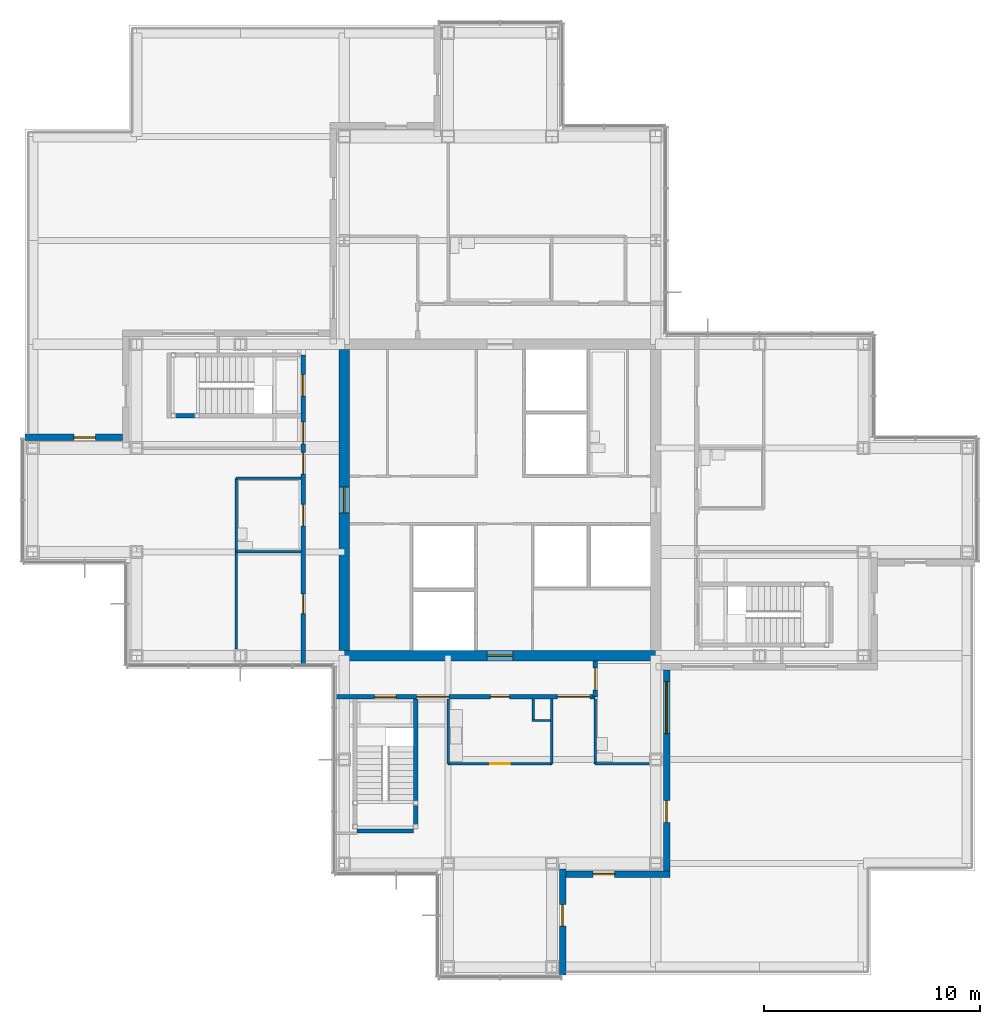
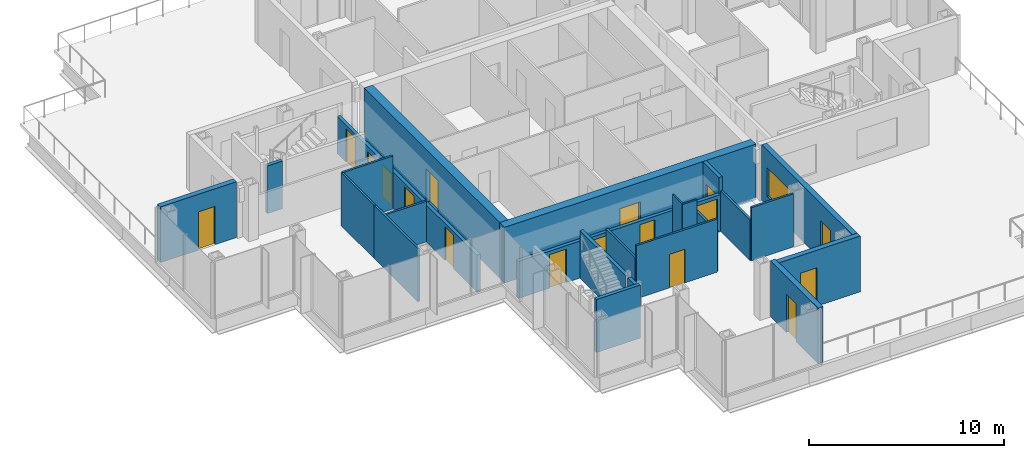
# One storey, part 11 of 17: 24 walls, 17 doors, 1 window, 18 openings.
"""IFC4 building model written with IfcOpenShell, lengths in metres."""

import ifcopenshell
import ifcopenshell.guid

model = None  # the IFC model being written
_history = None  # IfcOwnerHistory: only IFC2X3 demands one
_inside = {}  # id of a spatial element -> (the spatial element, [elements in it])
_under = {}  # id of a project, library or spatial element -> (it, [spatial elements below it])
_declared = {}  # id of a project -> (the project, [libraries it declares])
_typed = {}  # id of a type object -> (the type object, [elements of that type])
_made_of = {}  # id of a material, layer set ... -> (it, [elements and type objects made of it])


def new_model(schema):
    """Start an empty IFC model of exactly this schema.

    Asked for "IFC4X3", IfcOpenShell would pick the latest addendum, in which some entities
    have other attributes; the version numbers below select the first issue.
    IFC2X3 requires an IfcOwnerHistory on every rooted entity: one is made here for all.
    """
    global model, _history
    if schema == "IFC4X3":
        model = ifcopenshell.file(schema_version=(4, 3, 0, 0))
    else:
        model = ifcopenshell.file(schema=schema)
    _inside.clear()
    _under.clear()
    _declared.clear()
    _typed.clear()
    _made_of.clear()
    _history = None
    if model.schema == "IFC2X3":
        org = make("IfcOrganization", Name="unknown")
        user = make(
            "IfcPersonAndOrganization",
            ThePerson=make("IfcPerson", FamilyName="unknown"),
            TheOrganization=org,
        )
        app = make(
            "IfcApplication",
            ApplicationDeveloper=org,
            Version="unknown",
            ApplicationFullName="unknown",
            ApplicationIdentifier="unknown",
        )
        _history = make(
            "IfcOwnerHistory",
            OwningUser=user,
            OwningApplication=app,
            ChangeAction="ADDED",
            CreationDate=0,
        )
    return model


def make(cls, **values):
    """One entity of the class cls with the attributes given. An attribute that is None is left unset."""
    return model.create_entity(
        cls, **{name: value for name, value in values.items() if value is not None}
    )


def rooted(cls, **values):
    """An entity with a GlobalId (a new one), such as an element, a storey or a relation."""
    return make(cls, GlobalId=ifcopenshell.guid.new(), OwnerHistory=_history, **values)


def si_unit(unit_type, name, prefix=None):
    """IfcSIUnit, for example si_unit("LENGTHUNIT", "METRE", prefix="MILLI")."""
    return make("IfcSIUnit", UnitType=unit_type, Prefix=prefix, Name=name)


def assignment(units):
    """IfcUnitAssignment: the units of a project."""
    return None if units is None else make("IfcUnitAssignment", Units=units)


def point(xyz):
    """IfcCartesianPoint."""
    return None if xyz is None else make("IfcCartesianPoint", Coordinates=xyz)


def direction(xyz):
    """IfcDirection."""
    return None if xyz is None else make("IfcDirection", DirectionRatios=xyz)


def frame(location, z_axis=None, x_axis=None):
    """IfcAxis2Placement3D, a coordinate frame: its origin and axes. An axis left out is left unset."""
    return make(
        "IfcAxis2Placement3D",
        Location=point(location),
        Axis=direction(z_axis),
        RefDirection=direction(x_axis),
    )


def frame_2d(location, x_axis=None):
    """IfcAxis2Placement2D, a coordinate frame in the plane: its origin and x axis."""
    return make(
        "IfcAxis2Placement2D", Location=point(location), RefDirection=direction(x_axis)
    )


def origin():
    """The frame at (0, 0, 0) with its axes left unset."""
    return frame((0.0, 0.0, 0.0))


def place(relative_to, where):
    """IfcLocalPlacement: puts the frame where relative to a parent placement (None: the world)."""
    return make(
        "IfcLocalPlacement", PlacementRelTo=relative_to, RelativePlacement=where
    )


def context(
    kind, dimensions, precision=None, world=None, true_north=None, identifier=None
):
    """IfcGeometricRepresentationContext, for example the 3D "Model" context."""
    return make(
        "IfcGeometricRepresentationContext",
        ContextIdentifier=identifier,
        ContextType=kind,
        CoordinateSpaceDimension=dimensions,
        Precision=precision,
        WorldCoordinateSystem=world,
        TrueNorth=true_north,
    )


def subcontext(parent, identifier, kind, view, scale=None):
    """IfcGeometricRepresentationSubContext, for example "Body" below "Model"."""
    return make(
        "IfcGeometricRepresentationSubContext",
        ContextIdentifier=identifier,
        ContextType=kind,
        ParentContext=parent,
        TargetScale=scale,
        TargetView=view,
    )


def project(units=None, contexts=None):
    """IfcProject with its units and contexts."""
    return rooted(
        "IfcProject",
        Name="project",
        RepresentationContexts=contexts,
        UnitsInContext=assignment(units),
    )


def spatial(cls, under=None, at=None, **own):
    """A site, building, storey or space (cls), placed at a placement, below another one or the project."""
    s = rooted(cls, ObjectPlacement=at, **own)
    if under is not None:
        _under.setdefault(under.id(), (under, []))[1].append(s)
    return s


def profile(cls, at=None, kind="AREA", **sizes):
    """A parametric profile (cls). Its sizes go by their IFC names, for example OverallWidth=200.0."""
    return make(cls, ProfileType=kind, Position=at, **sizes)


def rectangle(**sizes):
    """IfcRectangleProfileDef."""
    return profile("IfcRectangleProfileDef", **sizes)


def extrude(swept, where, along, depth):
    """IfcExtrudedAreaSolid: the profile swept, set in the frame where, extruded along a direction by depth."""
    return make(
        "IfcExtrudedAreaSolid",
        SweptArea=swept,
        Position=where,
        ExtrudedDirection=direction(along),
        Depth=depth,
    )


def shape(context_of_items, identifier, shape_type, items):
    """IfcShapeRepresentation: the items that make up one representation, for example the "Body"."""
    return make(
        "IfcShapeRepresentation",
        ContextOfItems=context_of_items,
        RepresentationIdentifier=identifier,
        RepresentationType=shape_type,
        Items=items,
    )


def material(Name=None, Category=None):
    """IfcMaterial."""
    return make("IfcMaterial", Name=Name, Category=Category)


def layer(
    of_material, thickness, ventilated=None, Name=None, Category=None, Priority=None
):
    """IfcMaterialLayer: one layer of a wall or slab, of a material (None: an air gap)."""
    return make(
        "IfcMaterialLayer",
        Material=of_material,
        LayerThickness=thickness,
        IsVentilated=ventilated,
        Name=Name,
        Category=Category,
        Priority=Priority,
    )


def layer_set(layers, Name=None):
    """IfcMaterialLayerSet."""
    return make("IfcMaterialLayerSet", MaterialLayers=layers, LayerSetName=Name)


def made_of(thing, what):
    """Note that an element or type object is made of a material, layer set ...; save() writes the relation."""
    if what is not None:
        _made_of.setdefault(what.id(), (what, []))[1].append(thing)
    return thing


def type_object(cls, material=None, **own):
    """A type object (cls), such as IfcWallType, which elements share."""
    return made_of(rooted(cls, **own), material)


def element(
    cls,
    number,
    at=None,
    inside=None,
    cuts=None,
    type_object=None,
    material=None,
    context=None,
    identifier="Body",
    shape_type=None,
    held_by="IfcProductDefinitionShape",
    body=None,
    shapes=None,
    **own,
):
    """One element of the class cls, such as IfcWall. Its Tag is "e" and its number.

    at: its placement. inside: the storey or other place that contains it. cuts: it is an
    opening in that element (IfcRelVoidsElement). A single representation is given by context,
    identifier, shape_type and body (its items); several are given by shapes. held_by: the class
    of the entity that holds the representations. save() writes the other relations.
    """
    e = rooted(cls, Tag="e%d" % number, ObjectPlacement=at, **own)
    if body is not None:
        shapes = [shape(context, identifier, shape_type, body)]
    if shapes is not None:
        e.Representation = make(held_by, Representations=shapes)
    if inside is not None:
        _inside.setdefault(inside.id(), (inside, []))[1].append(e)
    if cuts is not None:
        rooted(
            "IfcRelVoidsElement", RelatingBuildingElement=cuts, RelatedOpeningElement=e
        )
    if type_object is not None:
        _typed.setdefault(type_object.id(), (type_object, []))[1].append(e)
    return made_of(e, material)


def fill(opening, filler):
    """IfcRelFillsElement: the door or window that sits in an opening."""
    return rooted(
        "IfcRelFillsElement",
        RelatingOpeningElement=opening,
        RelatedBuildingElement=filler,
    )


def aggregate(whole, parts):
    """IfcRelAggregates: a whole, such as a stair, and the parts it consists of."""
    return rooted("IfcRelAggregates", RelatingObject=whole, RelatedObjects=parts)


def save(model, path):
    """Write the relations noted so far, then the file.

    IfcRelAggregates (storeys below a building ...), IfcRelContainedInSpatialStructure (elements
    in a storey), IfcRelDefinesByType, IfcRelAssociatesMaterial and IfcRelDeclares: one each for
    every whole, place, type object, material and project.
    """
    for whole, parts in _under.values():
        aggregate(whole, parts)
    for where, things in _inside.values():
        rooted(
            "IfcRelContainedInSpatialStructure",
            RelatedElements=things,
            RelatingStructure=where,
        )
    for kind, things in _typed.values():
        rooted("IfcRelDefinesByType", RelatedObjects=things, RelatingType=kind)
    for what, things in _made_of.values():
        rooted("IfcRelAssociatesMaterial", RelatedObjects=things, RelatingMaterial=what)
    for by, libraries in _declared.values():
        rooted("IfcRelDeclares", RelatingContext=by, RelatedDefinitions=libraries)
    model.write(path)


model = new_model("IFC4")

# Units and contexts
model_context = context("Model", 3, precision=1e-05, world=origin(), true_north=direction((0.0, 1.0)))
body_context = subcontext(model_context, "Body", "Model", "MODEL_VIEW")
ifc_project = project(units=[si_unit("LENGTHUNIT", "METRE"), si_unit("AREAUNIT", "SQUARE_METRE"), si_unit("VOLUMEUNIT", "CUBIC_METRE"), si_unit("PLANEANGLEUNIT", "RADIAN"), si_unit("MASSUNIT", "GRAM", prefix="KILO")], contexts=[model_context])

# Site, building, storey
site_placement = place(None, origin())
site = spatial("IfcSite", under=ifc_project, at=site_placement, CompositionType="ELEMENT")
building_placement = place(site_placement, origin())
building = spatial("IfcBuilding", under=site, at=building_placement, Name="Kvirike Care Tower", CompositionType="ELEMENT")
storey_placement = place(building_placement, frame((0.0, 0.0, 141.0)))
storey = spatial("IfcBuildingStorey", under=building, at=storey_placement, Name="L38", CompositionType="ELEMENT", Elevation=141.0)

# Wall, opening, door
ifc_material_1 = material(Name="Concrete C45/55", Category="concrete")
ifc_layer_1 = layer(ifc_material_1, 0.5)
ifc_layer_set_1 = layer_set([ifc_layer_1], Name="CORE WALL 500 C45-55")
wall_type_1 = type_object("IfcWallType", Name="CORE WALL 500 C45-55", PredefinedType="SHEAR", material=ifc_layer_set_1)
wall_1_placement = place(storey_placement, frame((14.14990234375, 28.800048828125, -0.169921875), z_axis=(0.0, 0.0, 1.0), x_axis=(1.0, 0.0, 0.0)))
wall_1 = element("IfcWall", 1, at=wall_1_placement, inside=storey, type_object=wall_type_1, Name="Core wall S L38", PredefinedType="SHEAR", context=body_context, shape_type="SweptSolid", body=[
    extrude(rectangle(XDim=14.900146484375, YDim=0.5, at=frame_2d((7.4501953125, 0.0))), origin(), (0.0, 0.0, 1.0), 3.5),
])
opening_1_placement = place(wall_1_placement, frame((6.85009765625, 0.0, 0.169921875)))
opening_1 = element("IfcOpeningElement", 2, at=opening_1_placement, cuts=wall_1, Name="Opening 38-036", PredefinedType="OPENING", context=body_context, shape_type="SweptSolid", body=[
    extrude(rectangle(XDim=1.199951171875, YDim=2.10009765625, at=frame_2d((0.60009765625, 1.050048828125))), frame((0.0, 0.260498046875, 0.0), z_axis=(0.0, -1.0, 0.0), x_axis=(1.0, 0.0, 0.0)), (0.0, 0.0, 1.0), 0.52099609375),
])
ifc_material_2 = material(Name="Timber door set", Category="wood")
door_type_1 = type_object("IfcDoorType", Name="CORE DOOR 1200", OperationType="SINGLE_SWING_LEFT", PredefinedType="DOOR", material=ifc_material_2)
door_1_placement = place(opening_1_placement, origin())
door_1 = element("IfcDoor", 3, at=door_1_placement, inside=storey, type_object=door_type_1, Name="Core door S L38", OperationType="SINGLE_SWING_LEFT", OverallHeight=2.10009765625, OverallWidth=1.199951171875, PredefinedType="DOOR", context=body_context, shape_type="SweptSolid", body=[
    extrude(rectangle(XDim=1.199951171875, YDim=2.10009765625, at=frame_2d((0.60009765625, 1.050048828125))), frame((0.0, 0.02685546875, 0.0), z_axis=(0.0, -1.0, 0.0), x_axis=(1.0, 0.0, 0.0)), (0.0, 0.0, 1.0), 0.053955078125),
])
fill(opening_1, door_1)

wall_2_placement = place(storey_placement, frame((14.39990234375, 42.949951171875, -0.169921875), z_axis=(0.0, 0.0, 1.0), x_axis=(0.0, -1.0, 0.0)))
wall_2 = element("IfcWall", 4, at=wall_2_placement, inside=storey, type_object=wall_type_1, Name="Core wall W L38", PredefinedType="SHEAR", context=body_context, shape_type="SweptSolid", body=[
    extrude(rectangle(XDim=13.89990234375, YDim=0.5, at=frame_2d((6.949951171875, 0.0))), origin(), (0.0, 0.0, 1.0), 3.5),
])
opening_2_placement = place(wall_2_placement, frame((6.35009765625, 0.0, 0.169921875)))
opening_2 = element("IfcOpeningElement", 5, at=opening_2_placement, cuts=wall_2, Name="Opening 38-037", PredefinedType="OPENING", context=body_context, shape_type="SweptSolid", body=[
    extrude(rectangle(XDim=1.199951171875, YDim=2.10009765625, at=frame_2d((0.60009765625, 1.050048828125))), frame((0.0, 0.260498046875, 0.0), z_axis=(0.0, -1.0, 0.0), x_axis=(1.0, 0.0, 0.0)), (0.0, 0.0, 1.0), 0.52099609375),
])
door_2_placement = place(opening_2_placement, origin())
door_2 = element("IfcDoor", 6, at=door_2_placement, inside=storey, type_object=door_type_1, Name="Core door W L38", OperationType="SINGLE_SWING_LEFT", OverallHeight=2.10009765625, OverallWidth=1.199951171875, PredefinedType="DOOR", context=body_context, shape_type="SweptSolid", body=[
    extrude(rectangle(XDim=1.199951171875, YDim=2.10009765625, at=frame_2d((0.60009765625, 1.050048828125))), frame((0.0, 0.02685546875, 0.0), z_axis=(0.0, -1.0, 0.0), x_axis=(1.0, 0.0, 0.0)), (0.0, 0.0, 1.0), 0.053955078125),
])
fill(opening_2, door_2)

# Wall, openings, doors
ifc_material_3 = material(Name="Plasterboard corridor wall", Category="gypsum")
ifc_layer_2 = layer(ifc_material_3, 0.199951171875)
ifc_layer_set_2 = layer_set([ifc_layer_2], Name="CORRIDOR WALL 200")
wall_type_2 = type_object("IfcWallType", Name="CORRIDOR WALL 200", PredefinedType="PARTITIONING", material=ifc_layer_set_2)
wall_3_placement = place(storey_placement, frame((12.5, 42.699951171875, 0.0), z_axis=(0.0, 0.0, 1.0), x_axis=(0.0, -1.0, 0.0)))
wall_3 = element("IfcWall", 7, at=wall_3_placement, inside=storey, type_object=wall_type_2, Name="Corridor Wall 200 L38", PredefinedType="PARTITIONING", context=body_context, shape_type="SweptSolid", body=[
    extrude(rectangle(XDim=14.349853515625, YDim=0.199951171875, at=frame_2d((7.1748046875, 0.0))), origin(), (0.0, 0.0, 1.0), 2.320068359375),
])
opening_3_placement = place(wall_3_placement, frame((0.89990234375, 0.0, 0.0)))
opening_3 = element("IfcOpeningElement", 8, at=opening_3_placement, cuts=wall_3, Name="Opening 38-001", PredefinedType="OPENING", context=body_context, shape_type="SweptSolid", body=[
    extrude(rectangle(XDim=1.0, YDim=2.10009765625, at=frame_2d((0.5, 1.050048828125))), frame((0.0, 0.110595703125, 0.0), z_axis=(0.0, -1.0, 0.0), x_axis=(1.0, 0.0, 0.0)), (0.0, 0.0, 1.0), 0.220947265625),
])
opening_4_placement = place(wall_3_placement, frame((3.10009765625, 0.0, 0.0)))
opening_4 = element("IfcOpeningElement", 9, at=opening_4_placement, cuts=wall_3, Name="Opening 38-002", PredefinedType="OPENING", context=body_context, shape_type="SweptSolid", body=[
    extrude(rectangle(XDim=1.0, YDim=2.0, at=frame_2d((0.5, 1.0))), frame((0.0, 0.110595703125, 0.0), z_axis=(0.0, -1.0, 0.0), x_axis=(1.0, 0.0, 0.0)), (0.0, 0.0, 1.0), 0.220947265625),
])
opening_5_placement = place(wall_3_placement, frame((4.5, 0.0, 0.0)))
opening_5 = element("IfcOpeningElement", 10, at=opening_5_placement, cuts=wall_3, Name="Opening 38-003", PredefinedType="OPENING", context=body_context, shape_type="SweptSolid", body=[
    extrude(rectangle(XDim=1.0, YDim=2.0, at=frame_2d((0.5, 1.0))), frame((0.0, 0.110595703125, 0.0), z_axis=(0.0, -1.0, 0.0), x_axis=(1.0, 0.0, 0.0)), (0.0, 0.0, 1.0), 0.220947265625),
])
opening_6_placement = place(wall_3_placement, frame((6.89990234375, 0.0, 0.0)))
opening_6 = element("IfcOpeningElement", 11, at=opening_6_placement, cuts=wall_3, Name="Opening 38-004", PredefinedType="OPENING", context=body_context, shape_type="SweptSolid", body=[
    extrude(rectangle(XDim=1.0, YDim=2.10009765625, at=frame_2d((0.5, 1.050048828125))), frame((0.0, 0.110595703125, 0.0), z_axis=(0.0, -1.0, 0.0), x_axis=(1.0, 0.0, 0.0)), (0.0, 0.0, 1.0), 0.220947265625),
])
opening_7_placement = place(wall_3_placement, frame((11.050048828125, 0.0, 0.0)))
opening_7 = element("IfcOpeningElement", 12, at=opening_7_placement, cuts=wall_3, Name="Opening 38-005", PredefinedType="OPENING", context=body_context, shape_type="SweptSolid", body=[
    extrude(rectangle(XDim=0.89990234375, YDim=2.10009765625, at=frame_2d((0.449951171875, 1.050048828125))), frame((0.0, 0.110595703125, 0.0), z_axis=(0.0, -1.0, 0.0), x_axis=(1.0, 0.0, 0.0)), (0.0, 0.0, 1.0), 0.220947265625),
])
ifc_material_4 = material(Name="Timber door set", Category="wood")
door_type_2 = type_object("IfcDoorType", Name="CONSULTING ROOM DOOR 1000 x 2000", OperationType="SINGLE_SWING_LEFT", PredefinedType="DOOR", material=ifc_material_4)
door_3_placement = place(opening_4_placement, frame((1.0, 0.0, 0.0), z_axis=(0.0, 0.0, 1.0), x_axis=(-1.0, 0.0, 0.0)))
door_3 = element("IfcDoor", 13, at=door_3_placement, inside=storey, type_object=door_type_2, Name="Quiet room door", OperationType="SINGLE_SWING_LEFT", OverallHeight=2.0, OverallWidth=1.0, PredefinedType="DOOR", context=body_context, shape_type="SweptSolid", body=[
    extrude(rectangle(XDim=1.0, YDim=2.0, at=frame_2d((0.5, 1.0))), frame((0.0, 0.02685546875, 0.0), z_axis=(0.0, -1.0, 0.0), x_axis=(1.0, 0.0, 0.0)), (0.0, 0.0, 1.0), 0.053955078125),
])
fill(opening_4, door_3)
door_4_placement = place(opening_5_placement, frame((1.0, 0.0, 0.0), z_axis=(0.0, 0.0, 1.0), x_axis=(-1.0, 0.0, 0.0)))
door_4 = element("IfcDoor", 14, at=door_4_placement, inside=storey, type_object=door_type_2, Name="Library door", OperationType="SINGLE_SWING_RIGHT", OverallHeight=2.0, OverallWidth=1.0, PredefinedType="DOOR", context=body_context, shape_type="SweptSolid", body=[
    extrude(rectangle(XDim=1.0, YDim=2.0, at=frame_2d((0.5, 1.0))), frame((0.0, 0.02685546875, 0.0), z_axis=(0.0, -1.0, 0.0), x_axis=(1.0, 0.0, 0.0)), (0.0, 0.0, 1.0), 0.053955078125),
])
fill(opening_5, door_4)
ifc_material_5 = material(Name="Timber door set", Category="wood")
door_type_3 = type_object("IfcDoorType", Name="STAIR DOOR 1000", OperationType="SINGLE_SWING_LEFT", PredefinedType="DOOR", material=ifc_material_5)
door_5_placement = place(opening_3_placement, frame((1.0, 0.0, 0.0), z_axis=(0.0, 0.0, 1.0), x_axis=(-1.0, 0.0, 0.0)))
door_5 = element("IfcDoor", 15, at=door_5_placement, inside=storey, type_object=door_type_3, Name="Stair 1 door", OperationType="SINGLE_SWING_RIGHT", OverallHeight=2.10009765625, OverallWidth=1.0, PredefinedType="DOOR", context=body_context, shape_type="SweptSolid", body=[
    extrude(rectangle(XDim=1.0, YDim=2.10009765625, at=frame_2d((0.5, 1.050048828125))), frame((0.0, 0.031982421875, 0.0), z_axis=(0.0, -1.0, 0.0), x_axis=(1.0, 0.0, 0.0)), (0.0, 0.0, 1.0), 0.06396484375),
])
fill(opening_3, door_5)
ifc_material_6 = material(Name="Timber door set", Category="wood")
door_type_4 = type_object("IfcDoorType", Name="STORE DOOR 900", OperationType="SINGLE_SWING_LEFT", PredefinedType="DOOR", material=ifc_material_6)
door_6_placement = place(opening_7_placement, frame((0.89990234375, 0.0, 0.0), z_axis=(0.0, 0.0, 1.0), x_axis=(-1.0, 0.0, 0.0)))
door_6 = element("IfcDoor", 16, at=door_6_placement, inside=storey, type_object=door_type_4, Name="Book store door", OperationType="SINGLE_SWING_LEFT", OverallHeight=2.10009765625, OverallWidth=0.89990234375, PredefinedType="DOOR", context=body_context, shape_type="SweptSolid", body=[
    extrude(rectangle(XDim=0.89990234375, YDim=2.10009765625, at=frame_2d((0.449951171875, 1.050048828125))), frame((0.0, 0.02685546875, 0.0), z_axis=(0.0, -1.0, 0.0), x_axis=(1.0, 0.0, 0.0)), (0.0, 0.0, 1.0), 0.053955078125),
])
fill(opening_7, door_6)
ifc_material_7 = material(Name="Timber door set", Category="wood")
door_type_5 = type_object("IfcDoorType", Name="WC DOOR 1000", OperationType="SINGLE_SWING_LEFT", PredefinedType="DOOR", material=ifc_material_7)
door_7_placement = place(opening_6_placement, frame((1.0, 0.0, 0.0), z_axis=(0.0, 0.0, 1.0), x_axis=(-1.0, 0.0, 0.0)))
door_7 = element("IfcDoor", 17, at=door_7_placement, inside=storey, type_object=door_type_5, Name="Staff WC door", OperationType="SINGLE_SWING_RIGHT", OverallHeight=2.10009765625, OverallWidth=1.0, PredefinedType="DOOR", context=body_context, shape_type="SweptSolid", body=[
    extrude(rectangle(XDim=1.0, YDim=2.10009765625, at=frame_2d((0.5, 1.050048828125))), frame((0.0, 0.02685546875, 0.0), z_axis=(0.0, -1.0, 0.0), x_axis=(1.0, 0.0, 0.0)), (0.0, 0.0, 1.0), 0.053955078125),
])
fill(opening_6, door_7)

wall_4_placement = place(storey_placement, frame((13.949951171875, 26.89990234375, 0.0), z_axis=(0.0, 0.0, 1.0), x_axis=(1.0, 0.0, 0.0)))
wall_4 = element("IfcWall", 18, at=wall_4_placement, inside=storey, type_object=wall_type_2, Name="Corridor Wall 200 L38", PredefinedType="PARTITIONING", context=body_context, shape_type="SweptSolid", body=[
    extrude(rectangle(XDim=12.050048828125, YDim=0.199951171875, at=frame_2d((6.02490234375, 0.0))), origin(), (0.0, 0.0, 1.0), 2.320068359375),
])
opening_8_placement = place(wall_4_placement, frame((1.85009765625, 0.0, 0.0)))
opening_8 = element("IfcOpeningElement", 19, at=opening_8_placement, cuts=wall_4, Name="Opening 38-007", PredefinedType="OPENING", context=body_context, shape_type="SweptSolid", body=[
    extrude(rectangle(XDim=1.0, YDim=2.10009765625, at=frame_2d((0.5, 1.050048828125))), frame((0.0, 0.110595703125, 0.0), z_axis=(0.0, -1.0, 0.0), x_axis=(1.0, 0.0, 0.0)), (0.0, 0.0, 1.0), 0.220947265625),
])
opening_9_placement = place(wall_4_placement, frame((3.800048828125, 0.0, 0.0)))
opening_9 = element("IfcOpeningElement", 20, at=opening_9_placement, cuts=wall_4, Name="Opening 38-008", PredefinedType="OPENING", context=body_context, shape_type="SweptSolid", body=[
    extrude(rectangle(XDim=1.5, YDim=2.10009765625, at=frame_2d((0.75, 1.050048828125))), frame((0.0, 0.110595703125, 0.0), z_axis=(0.0, -1.0, 0.0), x_axis=(1.0, 0.0, 0.0)), (0.0, 0.0, 1.0), 0.220947265625),
])
opening_10_placement = place(wall_4_placement, frame((10.300048828125, 0.0, 0.0)))
opening_10 = element("IfcOpeningElement", 21, at=opening_10_placement, cuts=wall_4, Name="Opening 38-009", PredefinedType="OPENING", context=body_context, shape_type="SweptSolid", body=[
    extrude(rectangle(XDim=1.5, YDim=2.10009765625, at=frame_2d((0.75, 1.050048828125))), frame((0.0, 0.110595703125, 0.0), z_axis=(0.0, -1.0, 0.0), x_axis=(1.0, 0.0, 0.0)), (0.0, 0.0, 1.0), 0.220947265625),
])
opening_11_placement = place(wall_4_placement, frame((7.199951171875, 0.0, 0.0)))
opening_11 = element("IfcOpeningElement", 22, at=opening_11_placement, cuts=wall_4, Name="Opening 38-010", PredefinedType="OPENING", context=body_context, shape_type="SweptSolid", body=[
    extrude(rectangle(XDim=0.89990234375, YDim=2.10009765625, at=frame_2d((0.449951171875, 1.050048828125))), frame((0.0, 0.110595703125, 0.0), z_axis=(0.0, -1.0, 0.0), x_axis=(1.0, 0.0, 0.0)), (0.0, 0.0, 1.0), 0.220947265625),
])
ifc_material_8 = material(Name="Timber door set", Category="wood")
door_type_6 = type_object("IfcDoorType", Name="DINING ROOM DOOR 1500", OperationType="DOUBLE_DOOR_SINGLE_SWING", PredefinedType="DOOR", material=ifc_material_8)
door_8_placement = place(opening_9_placement, origin())
door_8 = element("IfcDoor", 23, at=door_8_placement, inside=storey, type_object=door_type_6, Name="Residents dining room door", OperationType="DOUBLE_DOOR_SINGLE_SWING", OverallHeight=2.10009765625, OverallWidth=1.5, PredefinedType="DOOR", context=body_context, shape_type="SweptSolid", body=[
    extrude(rectangle(XDim=1.5, YDim=2.10009765625, at=frame_2d((0.75, 1.050048828125))), frame((0.0, 0.02685546875, 0.0), z_axis=(0.0, -1.0, 0.0), x_axis=(1.0, 0.0, 0.0)), (0.0, 0.0, 1.0), 0.053955078125),
])
fill(opening_9, door_8)
door_9_placement = place(opening_10_placement, frame((1.5, 0.0, 0.0), z_axis=(0.0, 0.0, 1.0), x_axis=(-1.0, 0.0, 0.0)))
door_9 = element("IfcDoor", 24, at=door_9_placement, inside=storey, type_object=door_type_6, Name="Residents dining room door", OperationType="DOUBLE_DOOR_SINGLE_SWING", OverallHeight=2.10009765625, OverallWidth=1.5, PredefinedType="DOOR", context=body_context, shape_type="SweptSolid", body=[
    extrude(rectangle(XDim=1.5, YDim=2.10009765625, at=frame_2d((0.75, 1.050048828125))), frame((0.0, 0.02685546875, 0.0), z_axis=(0.0, -1.0, 0.0), x_axis=(1.0, 0.0, 0.0)), (0.0, 0.0, 1.0), 0.053955078125),
])
fill(opening_10, door_9)
door_10_placement = place(opening_8_placement, frame((1.0, 0.0, 0.0), z_axis=(0.0, 0.0, 1.0), x_axis=(-1.0, 0.0, 0.0)))
door_10 = element("IfcDoor", 25, at=door_10_placement, inside=storey, type_object=door_type_3, Name="Stair 5 door", OperationType="SINGLE_SWING_RIGHT", OverallHeight=2.10009765625, OverallWidth=1.0, PredefinedType="DOOR", context=body_context, shape_type="SweptSolid", body=[
    extrude(rectangle(XDim=1.0, YDim=2.10009765625, at=frame_2d((0.5, 1.050048828125))), frame((0.0, 0.031982421875, 0.0), z_axis=(0.0, -1.0, 0.0), x_axis=(1.0, 0.0, 0.0)), (0.0, 0.0, 1.0), 0.06396484375),
])
fill(opening_8, door_10)
door_11_placement = place(opening_11_placement, frame((0.89990234375, 0.0, 0.0), z_axis=(0.0, 0.0, 1.0), x_axis=(-1.0, 0.0, 0.0)))
door_11 = element("IfcDoor", 26, at=door_11_placement, inside=storey, type_object=door_type_4, Name="Servery kitchen door", OperationType="SINGLE_SWING_RIGHT", OverallHeight=2.10009765625, OverallWidth=0.89990234375, PredefinedType="DOOR", context=body_context, shape_type="SweptSolid", body=[
    extrude(rectangle(XDim=0.89990234375, YDim=2.10009765625, at=frame_2d((0.449951171875, 1.050048828125))), frame((0.0, 0.02685546875, 0.0), z_axis=(0.0, -1.0, 0.0), x_axis=(1.0, 0.0, 0.0)), (0.0, 0.0, 1.0), 0.053955078125),
])
fill(opening_11, door_11)

# Wall, opening, door
wall_5_placement = place(storey_placement, frame((26.0, 26.89990234375, 0.0), z_axis=(0.0, 0.0, 1.0), x_axis=(0.0, 1.0, 0.0)))
wall_5 = element("IfcWall", 27, at=wall_5_placement, inside=storey, type_object=wall_type_2, Name="Corridor Wall 200 L38", PredefinedType="PARTITIONING", context=body_context, shape_type="SweptSolid", body=[
    extrude(rectangle(XDim=1.650146484375, YDim=0.199951171875, at=frame_2d((0.8251953125, 0.0))), origin(), (0.0, 0.0, 1.0), 3.330078125),
])
opening_12_placement = place(wall_5_placement, frame((0.324951171875, 0.0, 0.0)))
opening_12 = element("IfcOpeningElement", 28, at=opening_12_placement, cuts=wall_5, Name="Opening 38-034", PredefinedType="OPENING", context=body_context, shape_type="SweptSolid", body=[
    extrude(rectangle(XDim=1.0, YDim=2.10009765625, at=frame_2d((0.5, 1.050048828125))), frame((0.0, 0.110595703125, 0.0), z_axis=(0.0, -1.0, 0.0), x_axis=(1.0, 0.0, 0.0)), (0.0, 0.0, 1.0), 0.220947265625),
])
door_12_placement = place(opening_12_placement, frame((1.0, 0.0, 0.0), z_axis=(0.0, 0.0, 1.0), x_axis=(-1.0, 0.0, 0.0)))
door_12 = element("IfcDoor", 29, at=door_12_placement, inside=storey, type_object=door_type_5, Name="Accessible WC door", OperationType="SINGLE_SWING_RIGHT", OverallHeight=2.10009765625, OverallWidth=1.0, PredefinedType="DOOR", context=body_context, shape_type="SweptSolid", body=[
    extrude(rectangle(XDim=1.0, YDim=2.10009765625, at=frame_2d((0.5, 1.050048828125))), frame((0.0, 0.02685546875, 0.0), z_axis=(0.0, -1.0, 0.0), x_axis=(1.0, 0.0, 0.0)), (0.0, 0.0, 1.0), 0.053955078125),
])
fill(opening_12, door_12)

# Walls
ifc_material_9 = material(Name="Plasterboard partition", Category="gypsum")
ifc_layer_3 = layer(ifc_material_9, 0.1201171875)
ifc_layer_set_3 = layer_set([ifc_layer_3], Name="PARTITION 120")
wall_type_3 = type_object("IfcWallType", Name="PARTITION 120", PredefinedType="PARTITIONING", material=ifc_layer_set_3)
wall_6_placement = place(storey_placement, frame((9.39990234375, 37.0, 0.0), z_axis=(0.0, 0.0, 1.0), x_axis=(1.0, 0.0, 0.0)))
element("IfcWall", 30, at=wall_6_placement, inside=storey, type_object=wall_type_3, Name="Partition 120 L38", PredefinedType="PARTITIONING", context=body_context, shape_type="SweptSolid", body=[
    extrude(rectangle(XDim=3.0, YDim=0.1201171875, at=frame_2d((1.5, 0.0))), origin(), (0.0, 0.0, 1.0), 3.330078125),
])
wall_7_placement = place(storey_placement, frame((9.39990234375, 37.0, 0.0), z_axis=(0.0, 0.0, 1.0), x_axis=(0.0, -1.0, 0.0)))
element("IfcWall", 31, at=wall_7_placement, inside=storey, type_object=wall_type_3, Name="Partition 120 L38", PredefinedType="PARTITIONING", context=body_context, shape_type="SweptSolid", body=[
    extrude(rectangle(XDim=3.39990234375, YDim=0.1201171875, at=frame_2d((1.699951171875, 0.0))), origin(), (0.0, 0.0, 1.0), 3.330078125),
])
wall_8_placement = place(storey_placement, frame((9.39990234375, 33.60009765625, 0.0), z_axis=(0.0, 0.0, 1.0), x_axis=(1.0, 0.0, 0.0)))
element("IfcWall", 32, at=wall_8_placement, inside=storey, type_object=wall_type_3, Name="Partition 120 L38", PredefinedType="PARTITIONING", context=body_context, shape_type="SweptSolid", body=[
    extrude(rectangle(XDim=3.0, YDim=0.1201171875, at=frame_2d((1.5, 0.0))), origin(), (0.0, 0.0, 1.0), 2.550048828125),
])
wall_9_placement = place(storey_placement, frame((9.39990234375, 33.60009765625, 0.0), z_axis=(0.0, 0.0, 1.0), x_axis=(0.0, -1.0, 0.0)))
element("IfcWall", 33, at=wall_9_placement, inside=storey, type_object=wall_type_3, Name="Partition 120 L38", PredefinedType="PARTITIONING", context=body_context, shape_type="SweptSolid", body=[
    extrude(rectangle(XDim=4.47998046875, YDim=0.1201171875, at=frame_2d((2.239990234375, 0.0))), origin(), (0.0, 0.0, 1.0), 3.330078125),
])
for number, where, z_axis, x_axis, name in (
    (34, (24.0, 23.800048828125, 0.0), (0.0, 0.0, 1.0), (0.0, 1.0, 0.0), "Partition 120 L38"),
    (35, (19.199951171875, 23.800048828125, 0.0), (0.0, 0.0, 1.0), (0.0, 1.0, 0.0), "Partition 120 L38"),
):
    element("IfcWall", number, at=place(storey_placement, frame(where, z_axis=z_axis, x_axis=x_axis)), inside=storey, type_object=wall_type_3, Name=name, PredefinedType="PARTITIONING", context=body_context, shape_type="SweptSolid", body=[
        extrude(rectangle(XDim=3.0, YDim=0.1201171875, at=frame_2d((1.5, 0.0))), origin(), (0.0, 0.0, 1.0), 2.550048828125),
    ])

# Wall, opening, door
wall_10_placement = place(storey_placement, frame((19.199951171875, 23.800048828125, 0.0), z_axis=(0.0, 0.0, 1.0), x_axis=(1.0, 0.0, 0.0)))
wall_10 = element("IfcWall", 36, at=wall_10_placement, inside=storey, type_object=wall_type_3, Name="Partition 120 L38", PredefinedType="PARTITIONING", context=body_context, shape_type="SweptSolid", body=[
    extrude(rectangle(XDim=4.800048828125, YDim=0.1201171875, at=frame_2d((2.39990234375, 0.0))), origin(), (0.0, 0.0, 1.0), 3.330078125),
])
opening_13_placement = place(wall_10_placement, frame((1.949951171875, 0.0, 0.0)))
opening_13 = element("IfcOpeningElement", 37, at=opening_13_placement, cuts=wall_10, Name="Opening 38-006", PredefinedType="OPENING", context=body_context, shape_type="SweptSolid", body=[
    extrude(rectangle(XDim=0.89990234375, YDim=2.10009765625, at=frame_2d((0.449951171875, 1.050048828125))), frame((0.0, 0.070556640625, 0.0), z_axis=(0.0, -1.0, 0.0), x_axis=(1.0, 0.0, 0.0)), (0.0, 0.0, 1.0), 0.14111328125),
])
ifc_material_10 = material(Name="Timber door set", Category="wood")
door_type_7 = type_object("IfcDoorType", Name="INTERNAL DOOR 900", OperationType="SINGLE_SWING_LEFT", PredefinedType="DOOR", material=ifc_material_10)
door_13_placement = place(opening_13_placement, origin())
door_13 = element("IfcDoor", 38, at=door_13_placement, inside=storey, type_object=door_type_7, Name="Servery door", OperationType="SINGLE_SWING_LEFT", OverallHeight=2.10009765625, OverallWidth=0.89990234375, PredefinedType="DOOR", context=body_context, shape_type="SweptSolid", body=[
    extrude(rectangle(XDim=0.89990234375, YDim=2.10009765625, at=frame_2d((0.449951171875, 1.050048828125))), frame((0.0, 0.02197265625, 0.0), z_axis=(0.0, -1.0, 0.0), x_axis=(1.0, 0.0, 0.0)), (0.0, 0.0, 1.0), 0.0439453125),
])
fill(opening_13, door_13)

# Walls
wall_11_placement = place(storey_placement, frame((26.0, 23.800048828125, 0.0), z_axis=(0.0, 0.0, 1.0), x_axis=(0.0, 1.0, 0.0)))
element("IfcWall", 39, at=wall_11_placement, inside=storey, type_object=wall_type_3, Name="Partition 120 L38", PredefinedType="PARTITIONING", context=body_context, shape_type="SweptSolid", body=[
    extrude(rectangle(XDim=3.0, YDim=0.1201171875, at=frame_2d((1.5, 0.0))), origin(), (0.0, 0.0, 1.0), 2.550048828125),
])
wall_12_placement = place(storey_placement, frame((26.0, 23.800048828125, 0.0), z_axis=(0.0, 0.0, 1.0), x_axis=(1.0, 0.0, 0.0)))
element("IfcWall", 40, at=wall_12_placement, inside=storey, type_object=wall_type_3, Name="Partition 120 L38", PredefinedType="PARTITIONING", context=body_context, shape_type="SweptSolid", body=[
    extrude(rectangle(XDim=2.47998046875, YDim=0.1201171875, at=frame_2d((1.239990234375, 0.0))), origin(), (0.0, 0.0, 1.0), 3.330078125),
])
ifc_material_11 = material(Name="Gypsum shaft wall system", Category="gypsum")
ifc_layer_4 = layer(ifc_material_11, 0.10009765625)
ifc_layer_set_4 = layer_set([ifc_layer_4], Name="SHAFT WALL 100")
wall_type_4 = type_object("IfcWallType", Name="SHAFT WALL 100", PredefinedType="SOLIDWALL", material=ifc_layer_set_4)
wall_13_placement = place(storey_placement, frame((23.139892578125, 25.85009765625, 0.0), z_axis=(0.0, 0.0, 1.0), x_axis=(0.0, 1.0, 0.0)))
element("IfcWall", 41, at=wall_13_placement, inside=storey, type_object=wall_type_4, Name="Shaft Wall 100 L38", PredefinedType="SOLIDWALL", context=body_context, shape_type="SweptSolid", body=[
    extrude(rectangle(XDim=0.949951171875, YDim=0.10009765625, at=frame_2d((0.47509765625, 0.0))), origin(), (0.0, 0.0, 1.0), 3.330078125),
])
wall_14_placement = place(storey_placement, frame((23.090087890625, 25.800048828125, 0.0), z_axis=(0.0, 0.0, 1.0), x_axis=(1.0, 0.0, 0.0)))
element("IfcWall", 42, at=wall_14_placement, inside=storey, type_object=wall_type_4, Name="Shaft Wall 100 L38", PredefinedType="SOLIDWALL", context=body_context, shape_type="SweptSolid", body=[
    extrude(rectangle(XDim=0.849853515625, YDim=0.10009765625, at=frame_2d((0.4248046875, 0.0))), origin(), (0.0, 0.0, 1.0), 3.330078125),
])
ifc_material_12 = material(Name="Concrete C40/50", Category="concrete")
ifc_layer_5 = layer(ifc_material_12, 0.199951171875)
ifc_layer_set_5 = layer_set([ifc_layer_5], Name="STAIR WALL 200")
wall_type_5 = type_object("IfcWallType", Name="STAIR WALL 200", PredefinedType="SOLIDWALL", material=ifc_layer_set_5)
for number, where, z_axis, x_axis, name in (
    (43, (6.60009765625, 39.89990234375, 0.0), (0.0, 0.0, 1.0), (1.0, 0.0, 0.0), "Stair Wall 200 L38"),
    (44, (17.699951171875, 21.0, 0.0), (0.0, 0.0, 1.0), (0.0, 1.0, 0.0), "Stair Wall 200 L38"),
):
    element("IfcWall", number, at=place(storey_placement, frame(where, z_axis=z_axis, x_axis=x_axis)), inside=storey, type_object=wall_type_5, Name=name, PredefinedType="SOLIDWALL", context=body_context, shape_type="SweptSolid", body=[
        extrude(rectangle(XDim=0.89990234375, YDim=0.199951171875, at=frame_2d((0.449951171875, 0.0))), origin(), (0.0, 0.0, 1.0), 2.989990234375),
    ])
wall_15_placement = place(storey_placement, frame((17.699951171875, 22.10009765625, 0.0), z_axis=(0.0, 0.0, 1.0), x_axis=(0.0, 1.0, 0.0)))
element("IfcWall", 45, at=wall_15_placement, inside=storey, type_object=wall_type_5, Name="Stair Wall 200 L38", PredefinedType="SOLIDWALL", context=body_context, shape_type="SweptSolid", body=[
    extrude(rectangle(XDim=4.699951171875, YDim=0.199951171875, at=frame_2d((2.35009765625, 0.0))), origin(), (0.0, 0.0, 1.0), 2.989990234375),
])
wall_16_placement = place(storey_placement, frame((15.0, 20.699951171875, 0.0), z_axis=(0.0, 0.0, 1.0), x_axis=(1.0, 0.0, 0.0)))
element("IfcWall", 46, at=wall_16_placement, inside=storey, type_object=wall_type_5, Name="Stair Wall 200 L38", PredefinedType="SOLIDWALL", context=body_context, shape_type="SweptSolid", body=[
    extrude(rectangle(XDim=2.60009765625, YDim=0.199951171875, at=frame_2d((1.300048828125, 0.0))), origin(), (0.0, 0.0, 1.0), 3.330078125),
])

# Wall, opening, door
ifc_material_13 = material(Name="Bronze-clad insulated blockwork wall", Category="masonry")
ifc_layer_6 = layer(ifc_material_13, 0.300048828125)
ifc_layer_set_6 = layer_set([ifc_layer_6], Name="TERRACE WALL 300")
wall_type_6 = type_object("IfcWallType", Name="TERRACE WALL 300", PredefinedType="SOLIDWALL", material=ifc_layer_set_6)
wall_17_placement = place(storey_placement, frame((4.14990234375, 38.89990234375, 0.0), z_axis=(0.0, 0.0, 1.0), x_axis=(-1.0, 0.0, 0.0)))
wall_17 = element("IfcWall", 47, at=wall_17_placement, inside=storey, type_object=wall_type_6, Name="Terrace wall L38 face 17", PredefinedType="SOLIDWALL", context=body_context, shape_type="SweptSolid", body=[
    extrude(rectangle(XDim=4.5, YDim=0.300048828125, at=frame_2d((2.25, 0.0))), origin(), (0.0, 0.0, 1.0), 3.5),
])
opening_14_placement = place(wall_17_placement, frame((1.25, 0.0, 0.0)))
opening_14 = element("IfcOpeningElement", 48, at=opening_14_placement, cuts=wall_17, Name="Opening 38-807", PredefinedType="OPENING", context=body_context, shape_type="SweptSolid", body=[
    extrude(rectangle(XDim=1.0, YDim=2.39990234375, at=frame_2d((0.5, 1.199951171875))), frame((0.0, 0.16064453125, 0.0), z_axis=(0.0, -1.0, 0.0), x_axis=(1.0, 0.0, 0.0)), (0.0, 0.0, 1.0), 0.321044921875),
])
ifc_material_14 = material(Name="Aluminium door frame", Category="aluminium")
door_type_8 = type_object("IfcDoorType", Name="TERRACE DOOR 1000", OperationType="SINGLE_SWING_LEFT", PredefinedType="DOOR", material=ifc_material_14)
door_14_placement = place(opening_14_placement, origin())
door_14 = element("IfcDoor", 49, at=door_14_placement, inside=storey, type_object=door_type_8, Name="Library terrace door", OperationType="SINGLE_SWING_LEFT", OverallHeight=2.39990234375, OverallWidth=1.0, PredefinedType="DOOR", context=body_context, shape_type="SweptSolid", body=[
    extrude(rectangle(XDim=1.0, YDim=2.39990234375, at=frame_2d((0.5, 1.199951171875))), frame((0.0, 0.03515625, 0.0), z_axis=(0.0, -1.0, 0.0), x_axis=(1.0, 0.0, 0.0)), (0.0, 0.0, 1.0), 0.070068359375),
])
fill(opening_14, door_14)

wall_18_placement = place(storey_placement, frame((24.5, 14.050048828125, 0.0), z_axis=(0.0, 0.0, 1.0), x_axis=(0.0, 1.0, 0.0)))
wall_18 = element("IfcWall", 50, at=wall_18_placement, inside=storey, type_object=wall_type_6, Name="Terrace wall L38 face 26", PredefinedType="SOLIDWALL", context=body_context, shape_type="SweptSolid", body=[
    extrude(rectangle(XDim=4.89990234375, YDim=0.300048828125, at=frame_2d((2.449951171875, 0.0))), origin(), (0.0, 0.0, 1.0), 3.5),
])
opening_15_placement = place(wall_18_placement, frame((2.25, 0.0, 0.0)))
opening_15 = element("IfcOpeningElement", 51, at=opening_15_placement, cuts=wall_18, Name="Opening 38-808", PredefinedType="OPENING", context=body_context, shape_type="SweptSolid", body=[
    extrude(rectangle(XDim=1.0, YDim=2.39990234375, at=frame_2d((0.5, 1.199951171875))), frame((0.0, 0.16064453125, 0.0), z_axis=(0.0, -1.0, 0.0), x_axis=(1.0, 0.0, 0.0)), (0.0, 0.0, 1.0), 0.321044921875),
])
door_15_placement = place(opening_15_placement, origin())
door_15 = element("IfcDoor", 52, at=door_15_placement, inside=storey, type_object=door_type_8, Name="Residents dining room terrace door", OperationType="SINGLE_SWING_LEFT", OverallHeight=2.39990234375, OverallWidth=1.0, PredefinedType="DOOR", context=body_context, shape_type="SweptSolid", body=[
    extrude(rectangle(XDim=1.0, YDim=2.39990234375, at=frame_2d((0.5, 1.199951171875))), frame((0.0, 0.03515625, 0.0), z_axis=(0.0, -1.0, 0.0), x_axis=(1.0, 0.0, 0.0)), (0.0, 0.0, 1.0), 0.070068359375),
])
fill(opening_15, door_15)

wall_19_placement = place(storey_placement, frame((24.64990234375, 18.699951171875, 0.0), z_axis=(0.0, 0.0, 1.0), x_axis=(1.0, 0.0, 0.0)))
wall_19 = element("IfcWall", 53, at=wall_19_placement, inside=storey, type_object=wall_type_6, Name="Terrace wall L38 face 27", PredefinedType="SOLIDWALL", context=body_context, shape_type="SweptSolid", body=[
    extrude(rectangle(XDim=4.800048828125, YDim=0.300048828125, at=frame_2d((2.39990234375, 0.0))), origin(), (0.0, 0.0, 1.0), 3.5),
])
opening_16_placement = place(wall_19_placement, frame((1.25, 0.0, 0.0)))
opening_16 = element("IfcOpeningElement", 54, at=opening_16_placement, cuts=wall_19, Name="Opening 38-809", PredefinedType="OPENING", context=body_context, shape_type="SweptSolid", body=[
    extrude(rectangle(XDim=1.0, YDim=2.39990234375, at=frame_2d((0.5, 1.199951171875))), frame((0.0, 0.16064453125, 0.0), z_axis=(0.0, -1.0, 0.0), x_axis=(1.0, 0.0, 0.0)), (0.0, 0.0, 1.0), 0.321044921875),
])
door_16_placement = place(opening_16_placement, origin())
door_16 = element("IfcDoor", 55, at=door_16_placement, inside=storey, type_object=door_type_8, Name="Residents dining room terrace door", OperationType="SINGLE_SWING_LEFT", OverallHeight=2.39990234375, OverallWidth=1.0, PredefinedType="DOOR", context=body_context, shape_type="SweptSolid", body=[
    extrude(rectangle(XDim=1.0, YDim=2.39990234375, at=frame_2d((0.5, 1.199951171875))), frame((0.0, 0.03515625, 0.0), z_axis=(0.0, -1.0, 0.0), x_axis=(1.0, 0.0, 0.0)), (0.0, 0.0, 1.0), 0.070068359375),
])
fill(opening_16, door_16)

# Wall, openings, door, window
wall_20_placement = place(storey_placement, frame((29.300048828125, 18.85009765625, 0.0), z_axis=(0.0, 0.0, 1.0), x_axis=(0.0, 1.0, 0.0)))
wall_20 = element("IfcWall", 56, at=wall_20_placement, inside=storey, type_object=wall_type_6, Name="Terrace wall L38 face 28", PredefinedType="SOLIDWALL", context=body_context, shape_type="SweptSolid", body=[
    extrude(rectangle(XDim=9.2998046875, YDim=0.300048828125, at=frame_2d((4.64990234375, 0.0))), origin(), (0.0, 0.0, 1.0), 3.5),
])
opening_17_placement = place(wall_20_placement, frame((2.25, 0.0, 0.0)))
opening_17 = element("IfcOpeningElement", 57, at=opening_17_placement, cuts=wall_20, Name="Opening 38-810", PredefinedType="OPENING", context=body_context, shape_type="SweptSolid", body=[
    extrude(rectangle(XDim=1.0, YDim=2.39990234375, at=frame_2d((0.5, 1.199951171875))), frame((0.0, 0.16064453125, 0.0), z_axis=(0.0, -1.0, 0.0), x_axis=(1.0, 0.0, 0.0)), (0.0, 0.0, 1.0), 0.321044921875),
])
opening_18_placement = place(wall_20_placement, frame((6.35009765625, 0.0, 0.60009765625)))
opening_18 = element("IfcOpeningElement", 58, at=opening_18_placement, cuts=wall_20, Name="Opening W01", PredefinedType="OPENING", context=body_context, shape_type="SweptSolid", body=[
    extrude(rectangle(XDim=2.39990234375, YDim=1.800048828125, at=frame_2d((1.199951171875, 0.89990234375))), frame((0.0, 0.16064453125, 0.0), z_axis=(0.0, -1.0, 0.0), x_axis=(1.0, 0.0, 0.0)), (0.0, 0.0, 1.0), 0.321044921875),
])
door_17_placement = place(opening_17_placement, origin())
door_17 = element("IfcDoor", 59, at=door_17_placement, inside=storey, type_object=door_type_8, Name="Residents dining room terrace door", OperationType="SINGLE_SWING_LEFT", OverallHeight=2.39990234375, OverallWidth=1.0, PredefinedType="DOOR", context=body_context, shape_type="SweptSolid", body=[
    extrude(rectangle(XDim=1.0, YDim=2.39990234375, at=frame_2d((0.5, 1.199951171875))), frame((0.0, 0.03515625, 0.0), z_axis=(0.0, -1.0, 0.0), x_axis=(1.0, 0.0, 0.0)), (0.0, 0.0, 1.0), 0.070068359375),
])
fill(opening_17, door_17)
ifc_material_15 = material(Name="Bronze anodised aluminium window", Category="aluminium")
window_type = type_object("IfcWindowType", Name="TERRACE WINDOW 2400", PartitioningType="SINGLE_PANEL", PredefinedType="WINDOW", material=ifc_material_15)
window_placement = place(opening_18_placement, origin())
window = element("IfcWindow", 60, at=window_placement, inside=storey, type_object=window_type, Name="Terrace Window 2400 L38", OverallHeight=1.800048828125, OverallWidth=2.39990234375, PartitioningType="SINGLE_PANEL", PredefinedType="WINDOW", context=body_context, shape_type="SweptSolid", body=[
    extrude(rectangle(XDim=2.39990234375, YDim=1.800048828125, at=frame_2d((1.199951171875, 0.89990234375))), frame((0.0, 0.030029296875, 0.0), z_axis=(0.0, -1.0, 0.0), x_axis=(1.0, 0.0, 0.0)), (0.0, 0.0, 1.0), 0.06005859375),
])
fill(opening_18, window)

save(model, "model.ifc")
